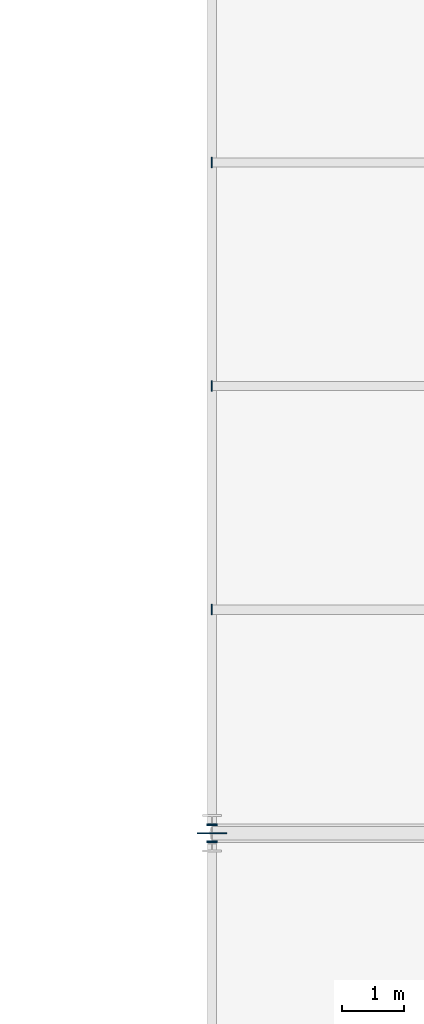
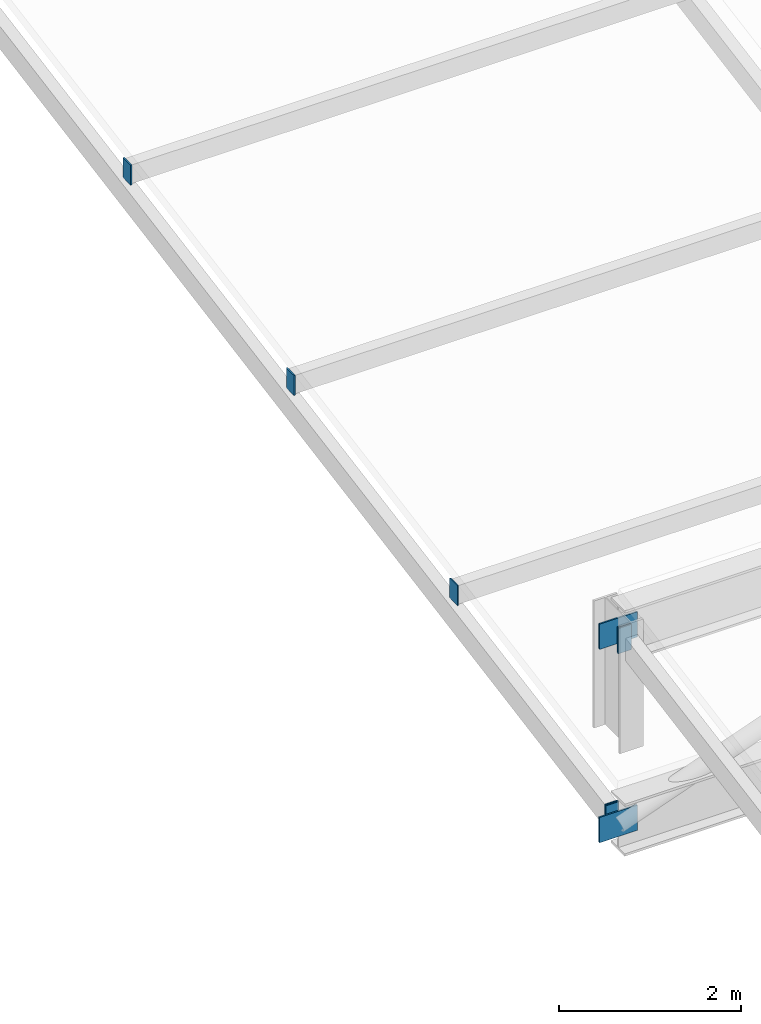
# One storey, part 53 of 63: 9 plates.
"""IFC4 building model written with IfcOpenShell, lengths in metres."""

from ifc_helpers import new_model, si_unit, direction, frame, origin, origin_2d, place, context, subcontext, project, spatial, rectangle, extrude, material, layer, layer_set, type_object, element, save


model = new_model("IFC4")

# Units and contexts
model_context = context("Model", 3, precision=1e-05, world=origin(), true_north=direction((0.0, 1.0)))
body_context = subcontext(model_context, "Body", "Model", "MODEL_VIEW")
ifc_project = project(units=[si_unit("LENGTHUNIT", "METRE"), si_unit("AREAUNIT", "SQUARE_METRE"), si_unit("VOLUMEUNIT", "CUBIC_METRE"), si_unit("PLANEANGLEUNIT", "RADIAN"), si_unit("MASSUNIT", "GRAM", prefix="KILO")], contexts=[model_context])

# Site, building, storey
site_placement = place(None, origin())
site = spatial("IfcSite", under=ifc_project, at=site_placement, CompositionType="ELEMENT")
building_placement = place(site_placement, origin())
building = spatial("IfcBuilding", under=site, at=building_placement, Name="Solvadek Multi-Sports Hall", CompositionType="ELEMENT")
storey_placement = place(building_placement, frame((0.0, 0.0, 19.199951171875)))
storey = spatial("IfcBuildingStorey", under=building, at=storey_placement, Name="RF", CompositionType="ELEMENT", Elevation=19.199951171875)

# Plates
ifc_material = material(Name="Steel E350 (350 MPa)", Category="steel")
ifc_layer_1 = layer(ifc_material, 0.01611328125, Name="Steel E350 (350 MPa)")
ifc_layer_set_1 = layer_set([ifc_layer_1], Name="Steel E350 (350 MPa)")
plate_type_1 = type_object("IfcPlateType", Name="STR-PLT-CAP16", PredefinedType="USERDEFINED", material=ifc_layer_set_1)
for number, where, z_axis, x_axis, name in (
    (1, (136.800048828125, 56.25390625, 1.2333984375), (0.0, 0.0, 1.0), (1.0, 0.0, 0.0), "V2 Rafter End Cap Plate #63"),
    (2, (136.800048828125, 56.27099609375, 1.2373046875), (0.0, 0.0, 1.0), (1.0, 0.0, 0.0), "V2 Rafter Shoe Cap Plate #64"),
    (3, (136.800048828125, 56.5458984375, -1.3125), (0.0, 0.0, 1.0), (1.0, 0.0, 0.0), "V2 Rafter End Cap Plate #68"),
    (4, (136.800048828125, 56.529052734375, -1.31689453125), (0.0, 0.0, 1.0), (1.0, 0.0, 0.0), "V2 Rafter Shoe Cap Plate #69"),
):
    element("IfcPlate", number, at=place(storey_placement, frame(where, z_axis=z_axis, x_axis=x_axis)), inside=storey, type_object=plate_type_1, Name=name, ObjectType="BASE_PLATE", PredefinedType="USERDEFINED", context=body_context, shape_type="SweptSolid", body=[
        extrude(rectangle(XDim=0.169921875, YDim=0.01611328125, at=origin_2d()), origin(), (0.0, 0.0, 1.0), 0.340087890625),
    ])
for number, where, z_axis, x_axis, name in (
    (5, (136.7958984375, 60.0, -0.37060546875), (0.0, 0.0, 1.0), (1.0, 0.0, 0.0), "V2 Purlin End Cap Plate #72"),
    (6, (136.7958984375, 63.60009765625, 0.273681640625), (0.0, 0.0, 1.0), (1.0, 0.0, 0.0), "V2 Purlin End Cap Plate #73"),
    (7, (136.7958984375, 67.199951171875, 0.918212890625), (0.0, 0.0, 1.0), (1.0, 0.0, 0.0), "V2 Purlin End Cap Plate #74"),
):
    element("IfcPlate", number, at=place(storey_placement, frame(where, z_axis=z_axis, x_axis=x_axis)), inside=storey, type_object=plate_type_1, Name=name, ObjectType="BASE_PLATE", PredefinedType="USERDEFINED", context=body_context, shape_type="SweptSolid", body=[
        extrude(rectangle(XDim=0.01611328125, YDim=0.169921875, at=origin_2d()), origin(), (0.0, 0.0, 1.0), 0.27001953125),
    ])
ifc_layer_2 = layer(ifc_material, 0.02001953125, Name="Steel E350 (350 MPa)")
ifc_layer_set_2 = layer_set([ifc_layer_2], Name="Steel E350 (350 MPa)")
plate_type_2 = type_object("IfcPlateType", Name="STR-PLT-GUS480", PredefinedType="USERDEFINED", material=ifc_layer_set_2)
for number, where, z_axis, x_axis, name in (
    (8, (136.800048828125, 56.39990234375, -1.33935546875), (0.0, 0.0, 1.0), (1.0, 0.0, 0.0), "V2 Clerestory Node Gusset #265"),
    (9, (136.800048828125, 56.39990234375, 1.26025390625), (0.0, 0.0, 1.0), (1.0, 0.0, 0.0), "V2 Clerestory Node Gusset #266"),
):
    element("IfcPlate", number, at=place(storey_placement, frame(where, z_axis=z_axis, x_axis=x_axis)), inside=storey, type_object=plate_type_2, Name=name, ObjectType="GUSSET_PLATE", PredefinedType="USERDEFINED", context=body_context, shape_type="SweptSolid", body=[
        extrude(rectangle(XDim=0.47998046875, YDim=0.02001953125, at=origin_2d()), origin(), (0.0, 0.0, 1.0), 0.340087890625),
    ])

save(model, "model.ifc")
